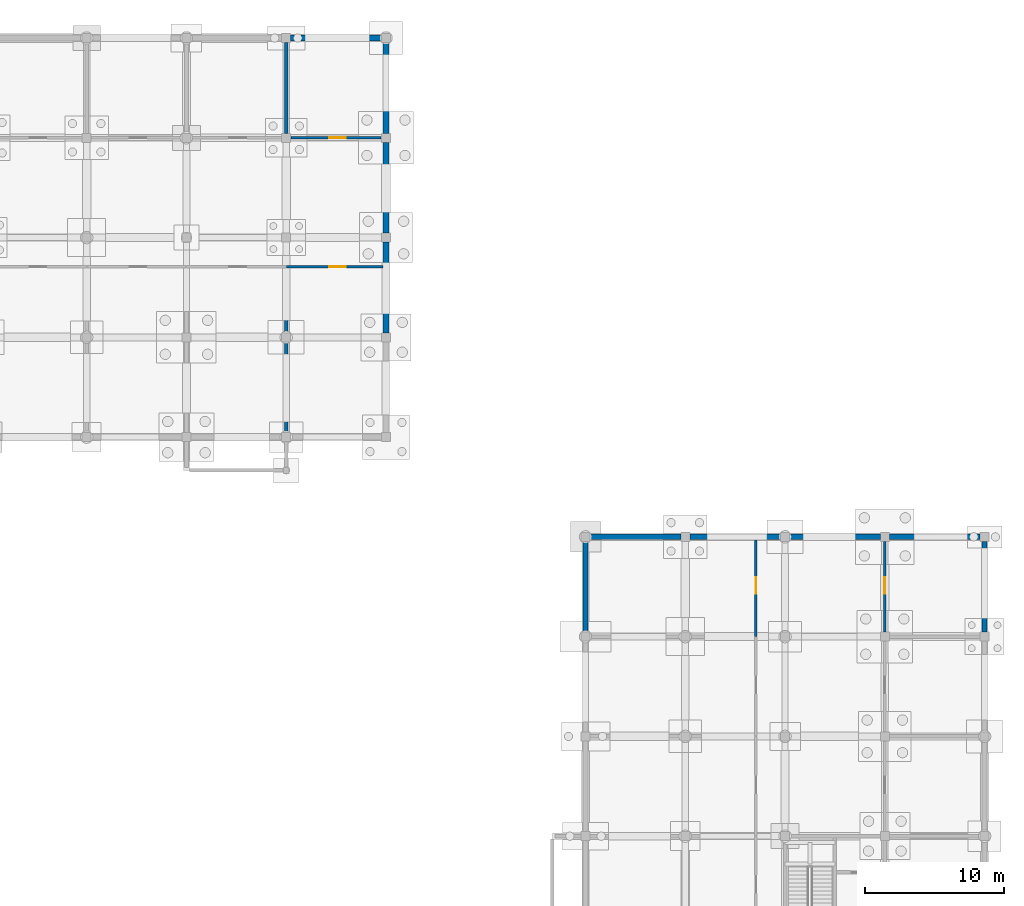
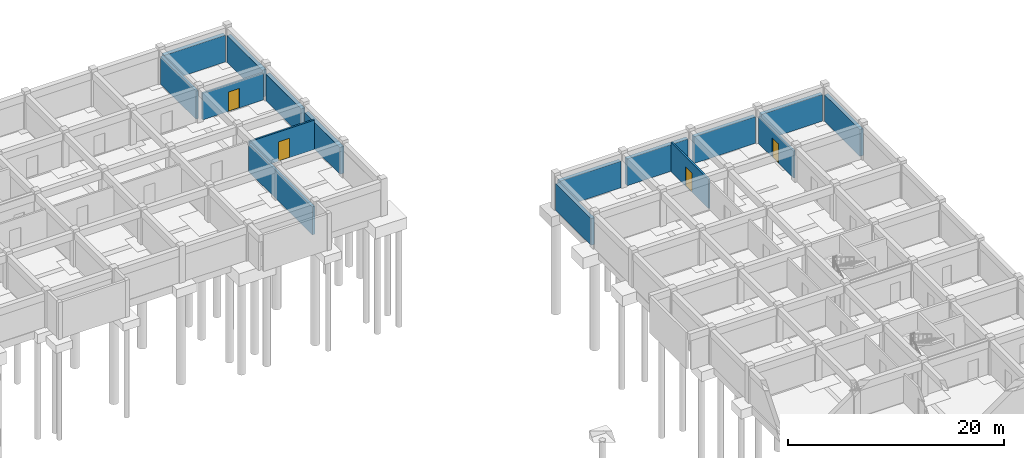
# One storey, part 33 of 38: 16 walls, 4 doors, 4 openings.
"""IFC4 building model written with IfcOpenShell, lengths in metres."""

from ifc_helpers import new_model, si_unit, direction, frame, frame_2d, origin, place, context, subcontext, project, spatial, rectangle, extrude, material, layer, layer_set, type_object, element, fill, save


model = new_model("IFC4")

# Units and contexts
model_context = context("Model", 3, precision=1e-05, world=origin(), true_north=direction((0.0, 1.0)))
body_context = subcontext(model_context, "Body", "Model", "MODEL_VIEW")
ifc_project = project(units=[si_unit("LENGTHUNIT", "METRE"), si_unit("AREAUNIT", "SQUARE_METRE"), si_unit("VOLUMEUNIT", "CUBIC_METRE"), si_unit("PLANEANGLEUNIT", "RADIAN"), si_unit("MASSUNIT", "GRAM", prefix="KILO"), si_unit("THERMODYNAMICTEMPERATUREUNIT", "KELVIN"), si_unit("POWERUNIT", "WATT")], contexts=[model_context])

# Site, building, storey
site_placement = place(None, origin())
site = spatial("IfcSite", under=ifc_project, at=site_placement, CompositionType="ELEMENT")
building_placement = place(site_placement, origin())
building = spatial("IfcBuilding", under=site, at=building_placement, Name="Tavuni Mirador Residences", CompositionType="ELEMENT")
storey_placement = place(building_placement, frame((0.0, 0.0, -4.199951171875)))
storey = spatial("IfcBuildingStorey", under=building, at=storey_placement, Name="B1", CompositionType="ELEMENT", Elevation=-4.199951171875)

# Wall, opening, door
ifc_material_1 = material(Name="Precast concrete C40/50", Category="concrete")
ifc_layer_1 = layer(ifc_material_1, 0.18505859375, Name="Precast concrete C40/50", Category="concrete")
ifc_layer_set_1 = layer_set([ifc_layer_1], Name="Precast concrete C40/50")
wall_type_1 = type_object("IfcWallType", Name="WT-CORR185", PredefinedType="PARTITIONING", material=ifc_layer_set_1)
wall_1_placement = place(storey_placement, frame((68.419921875, 156.300048828125, 0.0), z_axis=(0.0, 0.0, 1.0), x_axis=(1.0, 0.0, 0.0)))
wall_1 = element("IfcWall", 1, at=wall_1_placement, inside=storey, type_object=wall_type_1, Name="CORW-BLK-C-B1-0-08", PredefinedType="PARTITIONING", context=body_context, shape_type="SweptSolid", body=[
    extrude(rectangle(XDim=6.965087890625, YDim=0.18505859375, at=frame_2d((3.482421875, 0.0))), origin(), (0.0, 0.0, 1.0), 3.31494140625),
])
opening_1_placement = place(wall_1_placement, frame((3.080078125, 0.0, 0.0)))
opening_1 = element("IfcOpeningElement", 2, at=opening_1_placement, cuts=wall_1, Name="Opening D-18", PredefinedType="OPENING", context=body_context, shape_type="SweptSolid", body=[
    extrude(rectangle(XDim=1.199951171875, YDim=2.199951171875, at=frame_2d((0.60009765625, 1.10009765625))), frame((0.0, 0.1025390625, 0.0), z_axis=(0.0, -1.0, 0.0), x_axis=(1.0, 0.0, 0.0)), (0.0, 0.0, 1.0), 0.205078125),
])
ifc_material_2 = material(Name="Structural steel S355", Category="steel")
door_type = type_object("IfcDoorType", Name="DT-PLT1200", OperationType="NOTDEFINED", PredefinedType="DOOR", material=ifc_material_2)
door_1_placement = place(opening_1_placement, origin())
door_1 = element("IfcDoor", 3, at=door_1_placement, inside=storey, type_object=door_type, Name="DR-2603", OperationType="SINGLE_SWING_RIGHT", OverallHeight=2.199951171875, OverallWidth=1.199951171875, PredefinedType="DOOR", context=body_context, shape_type="SweptSolid", body=[
    extrude(rectangle(XDim=1.199951171875, YDim=2.199951171875, at=frame_2d((0.60009765625, 1.10009765625))), frame((0.0, 0.02490234375, 0.0), z_axis=(0.0, -1.0, 0.0), x_axis=(1.0, 0.0, 0.0)), (0.0, 0.0, 1.0), 0.050048828125),
])
fill(opening_1, door_1)

wall_2_placement = place(storey_placement, frame((68.75, 165.60009765625, 0.0), z_axis=(0.0, 0.0, 1.0), x_axis=(1.0, 0.0, 0.0)))
wall_2 = element("IfcWall", 4, at=wall_2_placement, inside=storey, type_object=wall_type_1, Name="CORW-BLK-C-B1-1-08", PredefinedType="PARTITIONING", context=body_context, shape_type="SweptSolid", body=[
    extrude(rectangle(XDim=6.5, YDim=0.18505859375, at=frame_2d((3.25, 0.0))), origin(), (0.0, 0.0, 1.0), 3.030029296875),
])
opening_2_placement = place(wall_2_placement, frame((2.75, 0.0, 0.0)))
opening_2 = element("IfcOpeningElement", 5, at=opening_2_placement, cuts=wall_2, Name="Opening D-18", PredefinedType="OPENING", context=body_context, shape_type="SweptSolid", body=[
    extrude(rectangle(XDim=1.199951171875, YDim=2.199951171875, at=frame_2d((0.60009765625, 1.10009765625))), frame((0.0, 0.1025390625, 0.0), z_axis=(0.0, -1.0, 0.0), x_axis=(1.0, 0.0, 0.0)), (0.0, 0.0, 1.0), 0.205078125),
])
door_2_placement = place(opening_2_placement, origin())
door_2 = element("IfcDoor", 6, at=door_2_placement, inside=storey, type_object=door_type, Name="DR-2610", OperationType="SINGLE_SWING_LEFT", OverallHeight=2.199951171875, OverallWidth=1.199951171875, PredefinedType="DOOR", context=body_context, shape_type="SweptSolid", body=[
    extrude(rectangle(XDim=1.199951171875, YDim=2.199951171875, at=frame_2d((0.60009765625, 1.10009765625))), frame((0.0, 0.02490234375, 0.0), z_axis=(0.0, -1.0, 0.0), x_axis=(1.0, 0.0, 0.0)), (0.0, 0.0, 1.0), 0.050048828125),
])
fill(opening_2, door_2)

wall_3_placement = place(storey_placement, frame((102.300048828125, 129.6201171875, 0.0), z_axis=(0.0, 0.0, 1.0), x_axis=(0.0, 1.0, 0.0)))
wall_3 = element("IfcWall", 7, at=wall_3_placement, inside=storey, type_object=wall_type_1, Name="CORW-BLK-D-B1-0-06", PredefinedType="PARTITIONING", context=body_context, shape_type="SweptSolid", body=[
    extrude(rectangle(XDim=6.96484375, YDim=0.18505859375, at=frame_2d((3.482421875, 0.0))), origin(), (0.0, 0.0, 1.0), 3.31494140625),
])
opening_3_placement = place(wall_3_placement, frame((3.080078125, 0.0, 0.0)))
opening_3 = element("IfcOpeningElement", 8, at=opening_3_placement, cuts=wall_3, Name="Opening D-18", PredefinedType="OPENING", context=body_context, shape_type="SweptSolid", body=[
    extrude(rectangle(XDim=1.199951171875, YDim=2.199951171875, at=frame_2d((0.60009765625, 1.10009765625))), frame((0.0, 0.1025390625, 0.0), z_axis=(0.0, -1.0, 0.0), x_axis=(1.0, 0.0, 0.0)), (0.0, 0.0, 1.0), 0.205078125),
])
door_3_placement = place(opening_3_placement, origin())
door_3 = element("IfcDoor", 9, at=door_3_placement, inside=storey, type_object=door_type, Name="DR-2803", OperationType="SINGLE_SWING_RIGHT", OverallHeight=2.199951171875, OverallWidth=1.199951171875, PredefinedType="DOOR", context=body_context, shape_type="SweptSolid", body=[
    extrude(rectangle(XDim=1.199951171875, YDim=2.199951171875, at=frame_2d((0.60009765625, 1.10009765625))), frame((0.0, 0.02490234375, 0.0), z_axis=(0.0, -1.0, 0.0), x_axis=(1.0, 0.0, 0.0)), (0.0, 0.0, 1.0), 0.050048828125),
])
fill(opening_3, door_3)

wall_4_placement = place(storey_placement, frame((111.60009765625, 129.949951171875, 0.0), z_axis=(0.0, 0.0, 1.0), x_axis=(0.0, 1.0, 0.0)))
wall_4 = element("IfcWall", 10, at=wall_4_placement, inside=storey, type_object=wall_type_1, Name="CORW-BLK-D-B1-1-06", PredefinedType="PARTITIONING", context=body_context, shape_type="SweptSolid", body=[
    extrude(rectangle(XDim=6.5, YDim=0.18505859375, at=frame_2d((3.25, 0.0))), origin(), (0.0, 0.0, 1.0), 3.079833984375),
])
opening_4_placement = place(wall_4_placement, frame((2.75, 0.0, 0.0)))
opening_4 = element("IfcOpeningElement", 11, at=opening_4_placement, cuts=wall_4, Name="Opening D-18", PredefinedType="OPENING", context=body_context, shape_type="SweptSolid", body=[
    extrude(rectangle(XDim=1.199951171875, YDim=2.199951171875, at=frame_2d((0.60009765625, 1.10009765625))), frame((0.0, 0.1025390625, 0.0), z_axis=(0.0, -1.0, 0.0), x_axis=(1.0, 0.0, 0.0)), (0.0, 0.0, 1.0), 0.205078125),
])
door_4_placement = place(opening_4_placement, origin())
door_4 = element("IfcDoor", 12, at=door_4_placement, inside=storey, type_object=door_type, Name="DR-2808", OperationType="SINGLE_SWING_LEFT", OverallHeight=2.199951171875, OverallWidth=1.199951171875, PredefinedType="DOOR", context=body_context, shape_type="SweptSolid", body=[
    extrude(rectangle(XDim=1.199951171875, YDim=2.199951171875, at=frame_2d((0.60009765625, 1.10009765625))), frame((0.0, 0.02490234375, 0.0), z_axis=(0.0, -1.0, 0.0), x_axis=(1.0, 0.0, 0.0)), (0.0, 0.0, 1.0), 0.050048828125),
])
fill(opening_4, door_4)

# Walls
ifc_material_3 = material(Name="In-situ concrete C35/45", Category="concrete")
ifc_layer_2 = layer(ifc_material_3, 0.3798828125, Name="In-situ concrete C35/45", Category="concrete")
ifc_layer_set_2 = layer_set([ifc_layer_2], Name="In-situ concrete C35/45")
wall_type_2 = type_object("IfcWallType", Name="WT-RET380", PredefinedType="USERDEFINED", material=ifc_layer_set_2)
for number, where, z_axis, x_axis, name in (
    (13, (96.875, 136.800048828125, 0.0), (0.0, 0.0, 1.0), (-1.0, 0.0, 0.0), "RET-BLK-D-N-00"),
    (14, (104.074951171875, 136.800048828125, 0.0), (0.0, 0.0, 1.0), (-1.0, 0.0, 0.0), "RET-BLK-D-N-01"),
):
    element("IfcWall", number, at=place(storey_placement, frame(where, z_axis=z_axis, x_axis=x_axis)), inside=storey, type_object=wall_type_2, Name=name, ObjectType="RETAINING WALL", PredefinedType="USERDEFINED", context=body_context, shape_type="SweptSolid", body=[
        extrude(rectangle(XDim=6.550048828125, YDim=0.3798828125, at=frame_2d((3.27490234375, 0.0))), origin(), (0.0, 0.0, 1.0), 3.030029296875),
    ])
wall_5_placement = place(storey_placement, frame((111.27490234375, 136.800048828125, 0.0), z_axis=(0.0, 0.0, 1.0), x_axis=(-1.0, 0.0, 0.0)))
element("IfcWall", 15, at=wall_5_placement, inside=storey, type_object=wall_type_2, Name="RET-BLK-D-N-02", ObjectType="RETAINING WALL", PredefinedType="USERDEFINED", context=body_context, shape_type="SweptSolid", body=[
    extrude(rectangle(XDim=6.5498046875, YDim=0.3798828125, at=frame_2d((3.27490234375, 0.0))), origin(), (0.0, 0.0, 1.0), 3.030029296875),
])
for number, where, z_axis, x_axis, name in (
    (16, (118.47509765625, 136.800048828125, 0.0), (0.0, 0.0, 1.0), (-1.0, 0.0, 0.0), "RET-BLK-D-N-03"),
    (17, (118.800048828125, 129.925048828125, 0.0), (0.0, 0.0, 1.0), (0.0, 1.0, 0.0), "RET-BLK-D-E-06"),
    (18, (90.0, 136.47509765625, 0.0), (0.0, 0.0, 1.0), (0.0, -1.0, 0.0), "RET-BLK-D-W-06"),
):
    element("IfcWall", number, at=place(storey_placement, frame(where, z_axis=z_axis, x_axis=x_axis)), inside=storey, type_object=wall_type_2, Name=name, ObjectType="RETAINING WALL", PredefinedType="USERDEFINED", context=body_context, shape_type="SweptSolid", body=[
        extrude(rectangle(XDim=6.550048828125, YDim=0.3798828125, at=frame_2d((3.27490234375, 0.0))), origin(), (0.0, 0.0, 1.0), 3.030029296875),
    ])
ifc_layer_3 = layer(ifc_material_3, 0.419921875, Name="In-situ concrete C35/45", Category="concrete")
ifc_layer_set_3 = layer_set([ifc_layer_3], Name="In-situ concrete C35/45")
wall_type_3 = type_object("IfcWallType", Name="WT-RET420", PredefinedType="USERDEFINED", material=ifc_layer_set_3)
wall_6_placement = place(storey_placement, frame((75.27490234375, 172.800048828125, 0.0), z_axis=(0.0, 0.0, 1.0), x_axis=(-1.0, 0.0, 0.0)))
element("IfcWall", 19, at=wall_6_placement, inside=storey, type_object=wall_type_3, Name="RET-BLK-C-N-08", ObjectType="RETAINING WALL", PredefinedType="USERDEFINED", context=body_context, shape_type="SweptSolid", body=[
    extrude(rectangle(XDim=6.5498046875, YDim=0.419921875, at=frame_2d((3.27490234375, 0.0))), origin(), (0.0, 0.0, 1.0), 3.030029296875),
])
wall_7_placement = place(storey_placement, frame((75.60009765625, 151.52490234375, 0.0), z_axis=(0.0, 0.0, 1.0), x_axis=(0.0, 1.0, 0.0)))
element("IfcWall", 20, at=wall_7_placement, inside=storey, type_object=wall_type_3, Name="RET-BLK-C-E-01", ObjectType="RETAINING WALL", PredefinedType="USERDEFINED", context=body_context, shape_type="SweptSolid", body=[
    extrude(rectangle(XDim=6.550048828125, YDim=0.419921875, at=frame_2d((3.27490234375, 0.0))), origin(), (0.0, 0.0, 1.0), 3.030029296875),
])
wall_8_placement = place(storey_placement, frame((75.60009765625, 158.72509765625, 0.0), z_axis=(0.0, 0.0, 1.0), x_axis=(0.0, 1.0, 0.0)))
element("IfcWall", 21, at=wall_8_placement, inside=storey, type_object=wall_type_3, Name="RET-BLK-C-E-02", ObjectType="RETAINING WALL", PredefinedType="USERDEFINED", context=body_context, shape_type="SweptSolid", body=[
    extrude(rectangle(XDim=6.5498046875, YDim=0.419921875, at=frame_2d((3.27490234375, 0.0))), origin(), (0.0, 0.0, 1.0), 3.030029296875),
])
wall_9_placement = place(storey_placement, frame((75.60009765625, 165.925048828125, 0.0), z_axis=(0.0, 0.0, 1.0), x_axis=(0.0, 1.0, 0.0)))
element("IfcWall", 22, at=wall_9_placement, inside=storey, type_object=wall_type_3, Name="RET-BLK-C-E-03", ObjectType="RETAINING WALL", PredefinedType="USERDEFINED", context=body_context, shape_type="SweptSolid", body=[
    extrude(rectangle(XDim=6.550048828125, YDim=0.419921875, at=frame_2d((3.27490234375, 0.0))), origin(), (0.0, 0.0, 1.0), 3.030029296875),
])
ifc_layer_4 = layer(ifc_material_1, 0.264892578125, Name="Precast concrete C40/50", Category="concrete")
ifc_layer_set_4 = layer_set([ifc_layer_4], Name="Precast concrete C40/50")
wall_type_4 = type_object("IfcWallType", Name="WT-XW265", PredefinedType="SOLIDWALL", material=ifc_layer_set_4)
wall_10_placement = place(storey_placement, frame((68.39990234375, 144.324951171875, 0.0), z_axis=(0.0, 0.0, 1.0), x_axis=(0.0, 1.0, 0.0)))
element("IfcWall", 23, at=wall_10_placement, inside=storey, type_object=wall_type_4, Name="XW-BLK-C-B1-S-08", PredefinedType="SOLIDWALL", context=body_context, shape_type="SweptSolid", body=[
    extrude(rectangle(XDim=11.824951171875, YDim=0.264892578125, at=frame_2d((5.91259765625, 0.0))), origin(), (0.0, 0.0, 1.0), 3.179931640625),
])
wall_11_placement = place(storey_placement, frame((68.39990234375, 165.925048828125, 0.0), z_axis=(0.0, 0.0, 1.0), x_axis=(0.0, 1.0, 0.0)))
element("IfcWall", 24, at=wall_11_placement, inside=storey, type_object=wall_type_4, Name="XW-BLK-C-B1-N-08", PredefinedType="SOLIDWALL", context=body_context, shape_type="SweptSolid", body=[
    extrude(rectangle(XDim=6.550048828125, YDim=0.264892578125, at=frame_2d((3.27490234375, 0.0))), origin(), (0.0, 0.0, 1.0), 3.179931640625),
])

save(model, "model.ifc")
